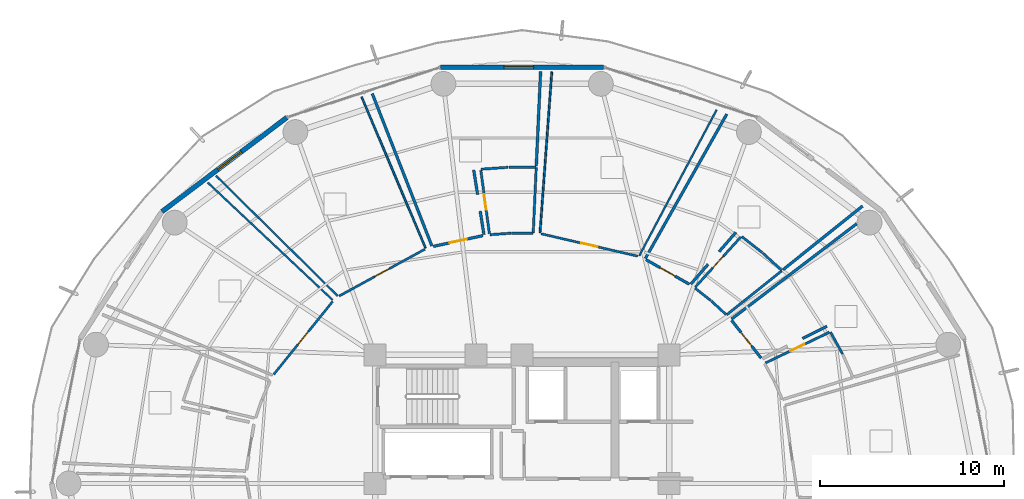
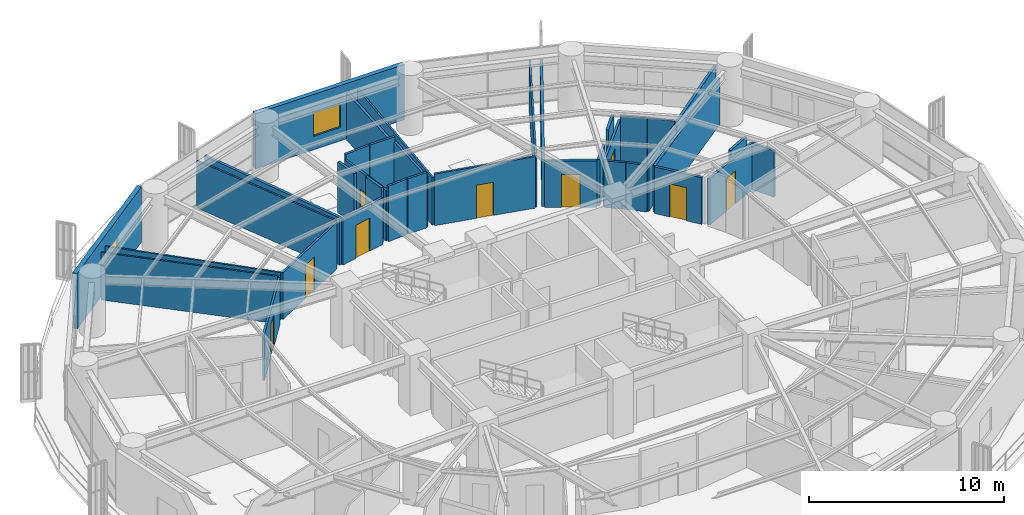
# One storey, part 32 of 37: 37 walls, 9 doors, 2 windows, 11 openings.
"""IFC4 building model written with IfcOpenShell, lengths in metres."""

from ifc_helpers import new_model, si_unit, direction, frame, frame_2d, origin, place, context, subcontext, project, spatial, rectangle, extrude, material, layer, layer_set, type_object, element, fill, save


model = new_model("IFC4")

# Units and contexts
model_context = context("Model", 3, precision=1e-05, world=origin(), true_north=direction((0.0, 1.0)))
body_context = subcontext(model_context, "Body", "Model", "MODEL_VIEW")
ifc_project = project(units=[si_unit("LENGTHUNIT", "METRE"), si_unit("AREAUNIT", "SQUARE_METRE"), si_unit("VOLUMEUNIT", "CUBIC_METRE"), si_unit("PLANEANGLEUNIT", "RADIAN"), si_unit("MASSUNIT", "GRAM", prefix="KILO")], contexts=[model_context])

# Site, building, storey
site_placement = place(None, origin())
site = spatial("IfcSite", under=ifc_project, at=site_placement, CompositionType="ELEMENT")
building_placement = place(site_placement, origin())
building = spatial("IfcBuilding", under=site, at=building_placement, Name="Kelanora Arch Commons", CompositionType="ELEMENT")
storey_placement = place(building_placement, frame((0.0, 0.0, 110.10009765625)))
storey = spatial("IfcBuildingStorey", under=building, at=storey_placement, Name="L28", CompositionType="ELEMENT", Elevation=110.10009765625)

# Wall, opening, door
ifc_material_1 = material(Name="Autoclaved aerated concrete blockwork with fire plaster", Category="masonry")
ifc_layer_1 = layer(ifc_material_1, 0.14990234375)
ifc_layer_set_1 = layer_set([ifc_layer_1], Name="Autoclaved aerated concrete blockwork with fire plaster")
wall_type_1 = type_object("IfcWallType", Name="W-COMP-150", PredefinedType="PARTITIONING", material=ifc_layer_set_1)
wall_1_placement = place(storey_placement, frame((87.007080078125, 64.818359375, 0.0), z_axis=(0.0, 0.0, 1.0), x_axis=(-0.615858536596, 0.78785675278, 0.0)))
wall_1 = element("IfcWall", 1, at=wall_1_placement, inside=storey, type_object=wall_type_1, Name="Co-Living Studio L28-05 Entry Partition", PredefinedType="PARTITIONING", context=body_context, shape_type="SweptSolid", body=[
    extrude(rectangle(XDim=2.606201171875, YDim=0.14990234375, at=frame_2d((1.30322265625, 0.0))), origin(), (0.0, 0.0, 1.0), 2.9248046875),
])
opening_1_placement = place(wall_1_placement, frame((0.827880859375, 0.0, 0.0)))
opening_1 = element("IfcOpeningElement", 2, at=opening_1_placement, cuts=wall_1, Name="Opening D-CLU1", PredefinedType="OPENING", context=body_context, shape_type="SweptSolid", body=[
    extrude(rectangle(XDim=0.949951171875, YDim=2.080078125, at=frame_2d((0.47509765625, 1.0400390625))), frame((0.0, 0.0849609375, 0.0), z_axis=(0.0, -1.0, 0.0), x_axis=(1.0, 0.0, 0.0)), (0.0, 0.0, 1.0), 0.169921875),
])
ifc_material_2 = material(Name="Solid-core acoustic timber cluster entry fire door", Category="wood")
door_type_1 = type_object("IfcDoorType", Name="D-CLU-95", OperationType="NOTDEFINED", PredefinedType="DOOR", material=ifc_material_2)
door_1_placement = place(opening_1_placement, origin())
door_1 = element("IfcDoor", 3, at=door_1_placement, inside=storey, type_object=door_type_1, Name="Co-Living Studio L28-05 Door", OperationType="SINGLE_SWING_RIGHT", OverallHeight=2.080078125, OverallWidth=0.949951171875, PredefinedType="DOOR", context=body_context, shape_type="SweptSolid", body=[
    extrude(rectangle(XDim=0.949951171875, YDim=2.080078125, at=frame_2d((0.47509765625, 1.0400390625))), frame((0.0, 0.02490234375, 0.0), z_axis=(0.0, -1.0, 0.0), x_axis=(1.0, 0.0, 0.0)), (0.0, 0.0, 1.0), 0.050048828125),
])
fill(opening_1, door_1)

wall_2_placement = place(storey_placement, frame((83.097900390625, 68.842529296875, 0.0), z_axis=(0.0, 0.0, 1.0), x_axis=(-0.870363179511, 0.492410332702, 0.0)))
wall_2 = element("IfcWall", 4, at=wall_2_placement, inside=storey, type_object=wall_type_1, Name="Co-Living Studio L28-06 Entry Partition", PredefinedType="PARTITIONING", context=body_context, shape_type="SweptSolid", body=[
    extrude(rectangle(XDim=2.711181640625, YDim=0.14990234375, at=frame_2d((1.35546875, 0.0))), origin(), (0.0, 0.0, 1.0), 2.9248046875),
])
opening_2_placement = place(wall_2_placement, frame((0.881103515625, 0.0, 0.0)))
opening_2 = element("IfcOpeningElement", 5, at=opening_2_placement, cuts=wall_2, Name="Opening D-CLU1", PredefinedType="OPENING", context=body_context, shape_type="SweptSolid", body=[
    extrude(rectangle(XDim=0.949951171875, YDim=2.080078125, at=frame_2d((0.47509765625, 1.0400390625))), frame((0.0, 0.0849609375, 0.0), z_axis=(0.0, -1.0, 0.0), x_axis=(1.0, 0.0, 0.0)), (0.0, 0.0, 1.0), 0.169921875),
])
door_2_placement = place(opening_2_placement, origin())
door_2 = element("IfcDoor", 6, at=door_2_placement, inside=storey, type_object=door_type_1, Name="Co-Living Studio L28-06 Door", OperationType="SINGLE_SWING_RIGHT", OverallHeight=2.080078125, OverallWidth=0.949951171875, PredefinedType="DOOR", context=body_context, shape_type="SweptSolid", body=[
    extrude(rectangle(XDim=0.949951171875, YDim=2.080078125, at=frame_2d((0.47509765625, 1.0400390625))), frame((0.0, 0.02490234375, 0.0), z_axis=(0.0, -1.0, 0.0), x_axis=(1.0, 0.0, 0.0)), (0.0, 0.0, 1.0), 0.050048828125),
])
fill(opening_2, door_2)

wall_3_placement = place(storey_placement, frame((71.868408203125, 71.4873046875, 0.0), z_axis=(0.0, 0.0, 1.0), x_axis=(-0.977162043607, -0.212495507093, 0.0)))
wall_3 = element("IfcWall", 7, at=wall_3_placement, inside=storey, type_object=wall_type_1, Name="Co-Living Studio L28-08 Entry Partition", PredefinedType="PARTITIONING", context=body_context, shape_type="SweptSolid", body=[
    extrude(rectangle(XDim=2.77001953125, YDim=0.14990234375, at=frame_2d((1.385009765625, 0.0))), origin(), (0.0, 0.0, 1.0), 2.9248046875),
])
opening_3_placement = place(wall_3_placement, frame((0.909912109375, 0.0, 0.0)))
opening_3 = element("IfcOpeningElement", 8, at=opening_3_placement, cuts=wall_3, Name="Opening D-CLU1", PredefinedType="OPENING", context=body_context, shape_type="SweptSolid", body=[
    extrude(rectangle(XDim=0.949951171875, YDim=2.080078125, at=frame_2d((0.47509765625, 1.0400390625))), frame((0.0, 0.0849609375, 0.0), z_axis=(0.0, -1.0, 0.0), x_axis=(1.0, 0.0, 0.0)), (0.0, 0.0, 1.0), 0.169921875),
])
door_3_placement = place(opening_3_placement, origin())
door_3 = element("IfcDoor", 9, at=door_3_placement, inside=storey, type_object=door_type_1, Name="Co-Living Studio L28-08 Door", OperationType="SINGLE_SWING_LEFT", OverallHeight=2.080078125, OverallWidth=0.949951171875, PredefinedType="DOOR", context=body_context, shape_type="SweptSolid", body=[
    extrude(rectangle(XDim=0.949951171875, YDim=2.080078125, at=frame_2d((0.47509765625, 1.0400390625))), frame((0.0, 0.02490234375, 0.0), z_axis=(0.0, -1.0, 0.0), x_axis=(1.0, 0.0, 0.0)), (0.0, 0.0, 1.0), 0.050048828125),
])
fill(opening_3, door_3)

# Walls
wall_4_placement = place(storey_placement, frame((85.396728515625, 66.943115234375, 0.0), z_axis=(0.0, 0.0, 1.0), x_axis=(0.795402924784, 0.606081007165, 0.0)))
element("IfcWall", 10, at=wall_4_placement, inside=storey, type_object=wall_type_1, Name="Co-Living Studio L28-05 Enclosure Partition 2", PredefinedType="PARTITIONING", context=body_context, shape_type="SweptSolid", body=[
    extrude(rectangle(XDim=8.56396484375, YDim=0.14990234375, at=frame_2d((4.281982421875, 0.0))), origin(), (0.0, 0.0, 1.0), 2.9248046875),
])
wall_5_placement = place(storey_placement, frame((90.584228515625, 66.554931640625, 0.0), z_axis=(0.0, 0.0, 1.0), x_axis=(-0.893044483168, -0.449968388983, 0.0)))
element("IfcWall", 11, at=wall_5_placement, inside=storey, type_object=wall_type_1, Name="Co-Living Studio L28-05 Enclosure Partition 7", PredefinedType="PARTITIONING", context=body_context, shape_type="SweptSolid", body=[
    extrude(rectangle(XDim=1.48779296875, YDim=0.14990234375, at=frame_2d((0.743896484375, 0.0))), origin(), (0.0, 0.0, 1.0), 3.1748046875),
])
wall_6_placement = place(storey_placement, frame((80.705810546875, 70.24169921875, 0.0), z_axis=(0.0, 0.0, 1.0), x_axis=(0.491283806378, 0.870999553152, 0.0)))
element("IfcWall", 12, at=wall_6_placement, inside=storey, type_object=wall_type_1, Name="Co-Living Studio L28-06 Enclosure Partition 2", PredefinedType="PARTITIONING", context=body_context, shape_type="SweptSolid", body=[
    extrude(rectangle(XDim=9.02001953125, YDim=0.14990234375, at=frame_2d((4.510009765625, 0.0))), origin(), (0.0, 0.0, 1.0), 2.9248046875),
])
wall_7_placement = place(storey_placement, frame((92.52685546875, 73.095947265625, 0.0), z_axis=(0.0, 0.0, 1.0), x_axis=(-0.780748421531, -0.624845502726, 0.0)))
element("IfcWall", 13, at=wall_7_placement, inside=storey, type_object=wall_type_1, Name="Co-Living Studio L28-06 Enclosure Partition 5", PredefinedType="PARTITIONING", context=body_context, shape_type="SweptSolid", body=[
    extrude(rectangle(XDim=5.54052734375, YDim=0.14990234375, at=frame_2d((2.770263671875, 0.0))), origin(), (0.0, 0.0, 1.0), 2.974853515625),
])
wall_8_placement = place(storey_placement, frame((85.631591796875, 71.661865234375, 0.0), z_axis=(0.0, 0.0, 1.0), x_axis=(-0.656722687954, -0.7541321576, 0.0)))
element("IfcWall", 14, at=wall_8_placement, inside=storey, type_object=wall_type_1, Name="Co-Living Studio L28-06 Enclosure Partition 7", PredefinedType="PARTITIONING", context=body_context, shape_type="SweptSolid", body=[
    extrude(rectangle(XDim=1.388427734375, YDim=0.14990234375, at=frame_2d((0.6943359375, 0.0))), origin(), (0.0, 0.0, 1.0), 3.1748046875),
])
wall_9_placement = place(storey_placement, frame((84.115234375, 69.9208984375, 0.0), z_axis=(0.0, 0.0, 1.0), x_axis=(-0.656931124452, -0.75395059369, 0.0)))
element("IfcWall", 15, at=wall_9_placement, inside=storey, type_object=wall_type_1, Name="Co-Living Studio L28-06 Enclosure Partition 7", PredefinedType="PARTITIONING", context=body_context, shape_type="SweptSolid", body=[
    extrude(rectangle(XDim=1.42919921875, YDim=0.14990234375, at=frame_2d((0.714599609375, 0.0))), origin(), (0.0, 0.0, 1.0), 2.9248046875),
])
wall_10_placement = place(storey_placement, frame((69.08837890625, 70.923095703125, 0.0), z_axis=(0.0, 0.0, 1.0), x_axis=(-0.364389011294, 0.931246824665, 0.0)))
element("IfcWall", 16, at=wall_10_placement, inside=storey, type_object=wall_type_1, Name="Co-Living Studio L28-08 Enclosure Partition 2", PredefinedType="PARTITIONING", context=body_context, shape_type="SweptSolid", body=[
    extrude(rectangle(XDim=8.905029296875, YDim=0.14990234375, at=frame_2d((4.45263671875, 0.0))), origin(), (0.0, 0.0, 1.0), 2.974853515625),
])
wall_11_placement = place(storey_placement, frame((75.005126953125, 80.422119140625, 0.0), z_axis=(0.0, 0.0, 1.0), x_axis=(-0.045575632324, -0.998960890995, 0.0)))
element("IfcWall", 17, at=wall_11_placement, inside=storey, type_object=wall_type_1, Name="Co-Living Studio L28-08 Enclosure Partition 5", PredefinedType="PARTITIONING", context=body_context, shape_type="SweptSolid", body=[
    extrude(rectangle(XDim=5.142578125, YDim=0.14990234375, at=frame_2d((2.5712890625, 0.0))), origin(), (0.0, 0.0, 1.0), 2.974853515625),
])
wall_12_placement = place(storey_placement, frame((71.365234375, 75.054443359375, 0.0), z_axis=(0.0, 0.0, 1.0), x_axis=(0.156065079238, -0.987746774757, 0.0)))
element("IfcWall", 18, at=wall_12_placement, inside=storey, type_object=wall_type_1, Name="Co-Living Studio L28-08 Enclosure Partition 7", PredefinedType="PARTITIONING", context=body_context, shape_type="SweptSolid", body=[
    extrude(rectangle(XDim=1.345458984375, YDim=0.14990234375, at=frame_2d((0.6728515625, 0.0))), origin(), (0.0, 0.0, 1.0), 3.1748046875),
])
wall_13_placement = place(storey_placement, frame((71.718994140625, 72.816650390625, 0.0), z_axis=(0.0, 0.0, 1.0), x_axis=(0.156156496637, -0.987732326371, 0.0)))
element("IfcWall", 19, at=wall_13_placement, inside=storey, type_object=wall_type_1, Name="Co-Living Studio L28-08 Enclosure Partition 7", PredefinedType="PARTITIONING", context=body_context, shape_type="SweptSolid", body=[
    extrude(rectangle(XDim=1.29296875, YDim=0.14990234375, at=frame_2d((0.646484375, 0.0))), origin(), (0.0, 0.0, 1.0), 3.47998046875),
])

# Wall, opening, window
ifc_material_3 = material(Name="Precast concrete C40/50 with terracotta rainscreen", Category="masonry")
ifc_layer_2 = layer(ifc_material_3, 0.260009765625)
ifc_layer_set_2 = layer_set([ifc_layer_2], Name="Precast concrete C40/50 with terracotta rainscreen")
wall_type_2 = type_object("IfcWallType", Name="W-EXT-TC", PredefinedType="SOLIDWALL", material=ifc_layer_set_2)
wall_14_placement = place(storey_placement, frame((78.430419921875, 80.650634765625, 0.0), z_axis=(0.0, 0.0, 1.0), x_axis=(-1.0, 0.0, 0.0)))
wall_14 = element("IfcWall", 20, at=wall_14_placement, inside=storey, type_object=wall_type_2, Name="Terracotta Exterior Wall L28-B04", PredefinedType="SOLIDWALL", context=body_context, shape_type="SweptSolid", body=[
    extrude(rectangle(XDim=8.86083984375, YDim=0.260009765625, at=frame_2d((4.430419921875, 0.0))), origin(), (0.0, 0.0, 1.0), 3.474853515625),
])
opening_4_placement = place(wall_14_placement, frame((3.81005859375, 0.0, 0.85009765625)))
opening_4 = element("IfcOpeningElement", 21, at=opening_4_placement, cuts=wall_14, Name="Opening WN-01", PredefinedType="OPENING", context=body_context, shape_type="SweptSolid", body=[
    extrude(rectangle(XDim=1.60009765625, YDim=1.449951171875, at=frame_2d((0.800048828125, 0.72509765625))), frame((0.0, 0.14013671875, 0.0), z_axis=(0.0, -1.0, 0.0), x_axis=(1.0, 0.0, 0.0)), (0.0, 0.0, 1.0), 0.280029296875),
])
ifc_material_4 = material(Name="Terracotta-anodised aluminium frame with operable low-E glazing", Category="masonry")
window_type = type_object("IfcWindowType", Name="WIN-CL-18", PartitioningType="DOUBLE_PANEL_VERTICAL", PredefinedType="WINDOW", material=ifc_material_4)
window_1_placement = place(opening_4_placement, origin())
window_1 = element("IfcWindow", 22, at=window_1_placement, inside=storey, type_object=window_type, Name="Co-Living Operable Window L28-B04", OverallHeight=1.449951171875, OverallWidth=1.60009765625, PartitioningType="SINGLE_PANEL", PredefinedType="WINDOW", context=body_context, shape_type="SweptSolid", body=[
    extrude(rectangle(XDim=1.60009765625, YDim=1.449951171875, at=frame_2d((0.800048828125, 0.72509765625))), frame((0.0, 0.030029296875, 0.0), z_axis=(0.0, -1.0, 0.0), x_axis=(1.0, 0.0, 0.0)), (0.0, 0.0, 1.0), 0.06005859375),
])
fill(opening_4, window_1)

wall_15_placement = place(storey_placement, frame((61.18798828125, 77.90966796875, 0.0), z_axis=(0.0, 0.0, 1.0), x_axis=(-0.798501507879, -0.601992808857, 0.0)))
wall_15 = element("IfcWall", 23, at=wall_15_placement, inside=storey, type_object=wall_type_2, Name="Terracotta Exterior Wall L28-B06", PredefinedType="SOLIDWALL", context=body_context, shape_type="SweptSolid", body=[
    extrude(rectangle(XDim=8.499267578125, YDim=0.260009765625, at=frame_2d((4.24951171875, 0.0))), origin(), (0.0, 0.0, 1.0), 3.474853515625),
])
opening_5_placement = place(wall_15_placement, frame((3.090087890625, 0.0, 0.85009765625)))
opening_5 = element("IfcOpeningElement", 24, at=opening_5_placement, cuts=wall_15, Name="Opening WN-01", PredefinedType="OPENING", context=body_context, shape_type="SweptSolid", body=[
    extrude(rectangle(XDim=1.60009765625, YDim=1.449951171875, at=frame_2d((0.800048828125, 0.72509765625))), frame((0.0, 0.14013671875, 0.0), z_axis=(0.0, -1.0, 0.0), x_axis=(1.0, 0.0, 0.0)), (0.0, 0.0, 1.0), 0.280029296875),
])
window_2_placement = place(opening_5_placement, origin())
window_2 = element("IfcWindow", 25, at=window_2_placement, inside=storey, type_object=window_type, Name="Co-Living Operable Window L28-B06", OverallHeight=1.449951171875, OverallWidth=1.60009765625, PartitioningType="SINGLE_PANEL", PredefinedType="WINDOW", context=body_context, shape_type="SweptSolid", body=[
    extrude(rectangle(XDim=1.60009765625, YDim=1.449951171875, at=frame_2d((0.800048828125, 0.72509765625))), frame((0.0, 0.030029296875, 0.0), z_axis=(0.0, -1.0, 0.0), x_axis=(1.0, 0.0, 0.0)), (0.0, 0.0, 1.0), 0.06005859375),
])
fill(opening_5, window_2)

# Walls
ifc_material_5 = material(Name="Lightweight fire-rated acoustic stud partition")
ifc_layer_3 = layer(ifc_material_5, 0.10009765625)
ifc_layer_set_3 = layer_set([ifc_layer_3], Name="Lightweight fire-rated acoustic stud partition")
wall_type_3 = type_object("IfcWallType", Name="W-PART-100", PredefinedType="PARTITIONING", material=ifc_layer_set_3)
wall_16_placement = place(storey_placement, frame((74.972900390625, 71.641845703125, 0.0), z_axis=(0.0, 0.0, 1.0), x_axis=(0.073174761374, 0.997319133627, 0.0)))
element("IfcWall", 26, at=wall_16_placement, inside=storey, type_object=wall_type_3, Name="Social Sky Lounge L28-07 Enclosure Partition 2", PredefinedType="PARTITIONING", context=body_context, shape_type="SweptSolid", body=[
    extrude(rectangle(XDim=8.774658203125, YDim=0.10009765625, at=frame_2d((4.38720703125, 0.0))), origin(), (0.0, 0.0, 1.0), 2.974853515625),
])
wall_17_placement = place(storey_placement, frame((84.586181640625, 78.335693359375, 0.0), z_axis=(0.0, 0.0, 1.0), x_axis=(-0.468267999336, -0.883586487446, 0.0)))
element("IfcWall", 27, at=wall_17_placement, inside=storey, type_object=wall_type_3, Name="Social Sky Lounge L28-07 Enclosure Partition 4", PredefinedType="PARTITIONING", context=body_context, shape_type="SweptSolid", body=[
    extrude(rectangle(XDim=8.99560546875, YDim=0.10009765625, at=frame_2d((4.497802734375, 0.0))), origin(), (0.0, 0.0, 1.0), 2.9248046875),
])
wall_18_placement = place(storey_placement, frame((63.967529296875, 68.2001953125, 0.0), z_axis=(0.0, 0.0, 1.0), x_axis=(-0.711571842372, 0.702613345406, 0.0)))
element("IfcWall", 28, at=wall_18_placement, inside=storey, type_object=wall_type_3, Name="Quiet Seminar Study Room L28-09 Enclosure Partition 2", PredefinedType="PARTITIONING", context=body_context, shape_type="SweptSolid", body=[
    extrude(rectangle(XDim=9.3203125, YDim=0.10009765625, at=frame_2d((4.66015625, 0.0))), origin(), (0.0, 0.0, 1.0), 2.974853515625),
])
wall_19_placement = place(storey_placement, frame((65.267578125, 79.03125, 0.0), z_axis=(0.0, 0.0, 1.0), x_axis=(0.389258885466, -0.921128395006, 0.0)))
element("IfcWall", 29, at=wall_19_placement, inside=storey, type_object=wall_type_3, Name="Quiet Seminar Study Room L28-09 Enclosure Partition 4", PredefinedType="PARTITIONING", context=body_context, shape_type="SweptSolid", body=[
    extrude(rectangle(XDim=8.92431640625, YDim=0.10009765625, at=frame_2d((4.462158203125, 0.0))), origin(), (0.0, 0.0, 1.0), 2.974853515625),
])
wall_20_placement = place(storey_placement, frame((56.883056640625, 74.378662109375, 0.0), z_axis=(0.0, 0.0, 1.0), x_axis=(0.728610729356, -0.684928029115, 0.0)))
element("IfcWall", 30, at=wall_20_placement, inside=storey, type_object=wall_type_3, Name="Communal Dining and Social Hall L28-10 Enclosure Partition 4", PredefinedType="PARTITIONING", context=body_context, shape_type="SweptSolid", body=[
    extrude(rectangle(XDim=9.350341796875, YDim=0.10009765625, at=frame_2d((4.67529296875, 0.0))), origin(), (0.0, 0.0, 1.0), 2.974853515625),
])

# Wall, opening, door
ifc_material_6 = material(Name="Acoustic twin-stud fire-rated gypsum partition")
ifc_layer_4 = layer(ifc_material_6, 0.1201171875)
ifc_layer_set_4 = layer_set([ifc_layer_4], Name="Acoustic twin-stud fire-rated gypsum partition")
wall_type_4 = type_object("IfcWallType", Name="W-PART-120", PredefinedType="PARTITIONING", material=ifc_layer_set_4)
wall_21_placement = place(storey_placement, frame((80.296630859375, 70.365478515625, 0.0), z_axis=(0.0, 0.0, 1.0), x_axis=(-0.97410128396, 0.226112115082, 0.0)))
wall_21 = element("IfcWall", 31, at=wall_21_placement, inside=storey, type_object=wall_type_4, Name="Social Sky Lounge L28-07 Entry Partition", PredefinedType="PARTITIONING", context=body_context, shape_type="SweptSolid", body=[
    extrude(rectangle(XDim=5.408447265625, YDim=0.1201171875, at=frame_2d((2.7041015625, 0.0))), origin(), (0.0, 0.0, 1.0), 3.23486328125),
])
opening_6_placement = place(wall_21_placement, frame((2.25390625, 0.0, 0.0)))
opening_6 = element("IfcOpeningElement", 32, at=opening_6_placement, cuts=wall_21, Name="Opening D-RM1", PredefinedType="OPENING", context=body_context, shape_type="SweptSolid", body=[
    extrude(rectangle(XDim=0.89990234375, YDim=2.080078125, at=frame_2d((0.449951171875, 1.0400390625))), frame((0.0, 0.070068359375, 0.0), z_axis=(0.0, -1.0, 0.0), x_axis=(1.0, 0.0, 0.0)), (0.0, 0.0, 1.0), 0.14013671875),
])
ifc_material_7 = material(Name="Acoustic fire-rated timber study and lounge door", Category="wood")
door_type_2 = type_object("IfcDoorType", Name="D-ROOM-90", OperationType="NOTDEFINED", PredefinedType="DOOR", material=ifc_material_7)
door_4_placement = place(opening_6_placement, origin())
door_4 = element("IfcDoor", 33, at=door_4_placement, inside=storey, type_object=door_type_2, Name="Social Sky Lounge L28-07 Door", OperationType="SINGLE_SWING_LEFT", OverallHeight=2.080078125, OverallWidth=0.89990234375, PredefinedType="DOOR", context=body_context, shape_type="SweptSolid", body=[
    extrude(rectangle(XDim=0.89990234375, YDim=2.080078125, at=frame_2d((0.449951171875, 1.0400390625))), frame((0.0, 0.02490234375, 0.0), z_axis=(0.0, -1.0, 0.0), x_axis=(1.0, 0.0, 0.0)), (0.0, 0.0, 1.0), 0.050048828125),
])
fill(opening_6, door_4)

wall_22_placement = place(storey_placement, frame((68.704345703125, 70.7451171875, 0.0), z_axis=(0.0, 0.0, 1.0), x_axis=(-0.877504886901, -0.479567694351, 0.0)))
wall_22 = element("IfcWall", 34, at=wall_22_placement, inside=storey, type_object=wall_type_4, Name="Quiet Seminar Study Room L28-09 Entry Partition", PredefinedType="PARTITIONING", context=body_context, shape_type="SweptSolid", body=[
    extrude(rectangle(XDim=5.3056640625, YDim=0.1201171875, at=frame_2d((2.65283203125, 0.0))), origin(), (0.0, 0.0, 1.0), 2.9248046875),
])
opening_7_placement = place(wall_22_placement, frame((2.202880859375, 0.0, 0.0)))
opening_7 = element("IfcOpeningElement", 35, at=opening_7_placement, cuts=wall_22, Name="Opening D-RM1", PredefinedType="OPENING", context=body_context, shape_type="SweptSolid", body=[
    extrude(rectangle(XDim=0.89990234375, YDim=2.080078125, at=frame_2d((0.449951171875, 1.0400390625))), frame((0.0, 0.070068359375, 0.0), z_axis=(0.0, -1.0, 0.0), x_axis=(1.0, 0.0, 0.0)), (0.0, 0.0, 1.0), 0.14013671875),
])
door_5_placement = place(opening_7_placement, origin())
door_5 = element("IfcDoor", 36, at=door_5_placement, inside=storey, type_object=door_type_2, Name="Quiet Seminar Study Room L28-09 Door", OperationType="SINGLE_SWING_RIGHT", OverallHeight=2.080078125, OverallWidth=0.89990234375, PredefinedType="DOOR", context=body_context, shape_type="SweptSolid", body=[
    extrude(rectangle(XDim=0.89990234375, YDim=2.080078125, at=frame_2d((0.449951171875, 1.0400390625))), frame((0.0, 0.02490234375, 0.0), z_axis=(0.0, -1.0, 0.0), x_axis=(1.0, 0.0, 0.0)), (0.0, 0.0, 1.0), 0.050048828125),
])
fill(opening_7, door_5)

wall_23_placement = place(storey_placement, frame((63.687255859375, 67.900390625, 0.0), z_axis=(0.0, 0.0, 1.0), x_axis=(-0.628221381111, -0.778034636963, 0.0)))
wall_23 = element("IfcWall", 37, at=wall_23_placement, inside=storey, type_object=wall_type_4, Name="Communal Dining and Social Hall L28-10 Entry Partition", PredefinedType="PARTITIONING", context=body_context, shape_type="SweptSolid", body=[
    extrude(rectangle(XDim=5.107177734375, YDim=0.1201171875, at=frame_2d((2.5537109375, 0.0))), origin(), (0.0, 0.0, 1.0), 2.9248046875),
])
opening_8_placement = place(wall_23_placement, frame((2.10400390625, 0.0, 0.0)))
opening_8 = element("IfcOpeningElement", 38, at=opening_8_placement, cuts=wall_23, Name="Opening D-RM1", PredefinedType="OPENING", context=body_context, shape_type="SweptSolid", body=[
    extrude(rectangle(XDim=0.89990234375, YDim=2.080078125, at=frame_2d((0.449951171875, 1.0400390625))), frame((0.0, 0.070068359375, 0.0), z_axis=(0.0, -1.0, 0.0), x_axis=(1.0, 0.0, 0.0)), (0.0, 0.0, 1.0), 0.14013671875),
])
door_6_placement = place(opening_8_placement, origin())
door_6 = element("IfcDoor", 39, at=door_6_placement, inside=storey, type_object=door_type_2, Name="Communal Dining and Social Hall L28-10 Door", OperationType="SINGLE_SWING_LEFT", OverallHeight=2.080078125, OverallWidth=0.89990234375, PredefinedType="DOOR", context=body_context, shape_type="SweptSolid", body=[
    extrude(rectangle(XDim=0.89990234375, YDim=2.080078125, at=frame_2d((0.449951171875, 1.0400390625))), frame((0.0, 0.02490234375, 0.0), z_axis=(0.0, -1.0, 0.0), x_axis=(1.0, 0.0, 0.0)), (0.0, 0.0, 1.0), 0.050048828125),
])
fill(opening_8, door_6)

ifc_material_8 = material(Name="Moisture-resistant fire-rated cement-board plumbing wall")
ifc_layer_5 = layer(ifc_material_8, 0.1298828125)
ifc_layer_set_5 = layer_set([ifc_layer_5], Name="Moisture-resistant fire-rated cement-board plumbing wall")
wall_type_5 = type_object("IfcWallType", Name="W-WET-120", PredefinedType="PLUMBINGWALL", material=ifc_layer_set_5)
wall_24_placement = place(storey_placement, frame((87.24609375, 64.55810546875, 0.0), z_axis=(0.0, 0.0, 1.0), x_axis=(0.901424148611, 0.432937067368, 0.0)))
wall_24 = element("IfcWall", 40, at=wall_24_placement, inside=storey, type_object=wall_type_5, Name="En-Suite Shower WC L28-05 Entry Partition", PredefinedType="PLUMBINGWALL", context=body_context, shape_type="SweptSolid", body=[
    extrude(rectangle(XDim=3.852783203125, YDim=0.1298828125, at=frame_2d((1.92626953125, 0.0))), origin(), (0.0, 0.0, 1.0), 2.9248046875),
])
opening_9_placement = place(wall_24_placement, frame((1.49609375, 0.0, 0.0)))
opening_9 = element("IfcOpeningElement", 41, at=opening_9_placement, cuts=wall_24, Name="Opening D-BT1", PredefinedType="OPENING", context=body_context, shape_type="SweptSolid", body=[
    extrude(rectangle(XDim=0.860107421875, YDim=2.050048828125, at=frame_2d((0.43017578125, 1.02490234375))), frame((0.0, 0.074951171875, 0.0), z_axis=(0.0, -1.0, 0.0), x_axis=(1.0, 0.0, 0.0)), (0.0, 0.0, 1.0), 0.14990234375),
])
ifc_material_9 = material(Name="Moisture-sealed fire-rated accessible bathroom door")
door_type_3 = type_object("IfcDoorType", Name="D-BATH-85", OperationType="NOTDEFINED", PredefinedType="DOOR", material=ifc_material_9)
door_7_placement = place(opening_9_placement, origin())
door_7 = element("IfcDoor", 42, at=door_7_placement, inside=storey, type_object=door_type_3, Name="En-Suite Shower WC L28-05 Door", OperationType="SINGLE_SWING_LEFT", OverallHeight=2.050048828125, OverallWidth=0.860107421875, PredefinedType="DOOR", context=body_context, shape_type="SweptSolid", body=[
    extrude(rectangle(XDim=0.860107421875, YDim=2.050048828125, at=frame_2d((0.43017578125, 1.02490234375))), frame((0.0, 0.02490234375, 0.0), z_axis=(0.0, -1.0, 0.0), x_axis=(1.0, 0.0, 0.0)), (0.0, 0.0, 1.0), 0.050048828125),
])
fill(opening_9, door_7)

wall_25_placement = place(storey_placement, frame((83.427490234375, 68.689453125, 0.0), z_axis=(0.0, 0.0, 1.0), x_axis=(0.672623095828, 0.739985250501, 0.0)))
wall_25 = element("IfcWall", 43, at=wall_25_placement, inside=storey, type_object=wall_type_5, Name="En-Suite Shower WC L28-06 Entry Partition", PredefinedType="PLUMBINGWALL", context=body_context, shape_type="SweptSolid", body=[
    extrude(rectangle(XDim=3.667724609375, YDim=0.1298828125, at=frame_2d((1.833984375, 0.0))), origin(), (0.0, 0.0, 1.0), 2.9248046875),
])
opening_10_placement = place(wall_25_placement, frame((1.404052734375, 0.0, 0.0)))
opening_10 = element("IfcOpeningElement", 44, at=opening_10_placement, cuts=wall_25, Name="Opening D-BT1", PredefinedType="OPENING", context=body_context, shape_type="SweptSolid", body=[
    extrude(rectangle(XDim=0.860107421875, YDim=2.050048828125, at=frame_2d((0.43017578125, 1.02490234375))), frame((0.0, 0.074951171875, 0.0), z_axis=(0.0, -1.0, 0.0), x_axis=(1.0, 0.0, 0.0)), (0.0, 0.0, 1.0), 0.14990234375),
])
door_8_placement = place(opening_10_placement, origin())
door_8 = element("IfcDoor", 45, at=door_8_placement, inside=storey, type_object=door_type_3, Name="En-Suite Shower WC L28-06 Door", OperationType="SINGLE_SWING_LEFT", OverallHeight=2.050048828125, OverallWidth=0.860107421875, PredefinedType="DOOR", context=body_context, shape_type="SweptSolid", body=[
    extrude(rectangle(XDim=0.860107421875, YDim=2.050048828125, at=frame_2d((0.43017578125, 1.02490234375))), frame((0.0, 0.02490234375, 0.0), z_axis=(0.0, -1.0, 0.0), x_axis=(1.0, 0.0, 0.0)), (0.0, 0.0, 1.0), 0.050048828125),
])
fill(opening_10, door_8)

wall_26_placement = place(storey_placement, frame((72.218017578125, 71.594482421875, 0.0), z_axis=(0.0, 0.0, 1.0), x_axis=(-0.134063285547, 0.990972772314, 0.0)))
wall_26 = element("IfcWall", 46, at=wall_26_placement, inside=storey, type_object=wall_type_5, Name="En-Suite Shower WC L28-08 Entry Partition", PredefinedType="PLUMBINGWALL", context=body_context, shape_type="SweptSolid", body=[
    extrude(rectangle(XDim=3.4765625, YDim=0.1298828125, at=frame_2d((1.73828125, 0.0))), origin(), (0.0, 0.0, 1.0), 3.1748046875),
])
opening_11_placement = place(wall_26_placement, frame((1.30810546875, 0.0, 0.0)))
opening_11 = element("IfcOpeningElement", 47, at=opening_11_placement, cuts=wall_26, Name="Opening D-BT1", PredefinedType="OPENING", context=body_context, shape_type="SweptSolid", body=[
    extrude(rectangle(XDim=0.860107421875, YDim=2.050048828125, at=frame_2d((0.43017578125, 1.02490234375))), frame((0.0, 0.074951171875, 0.0), z_axis=(0.0, -1.0, 0.0), x_axis=(1.0, 0.0, 0.0)), (0.0, 0.0, 1.0), 0.14990234375),
])
door_9_placement = place(opening_11_placement, origin())
door_9 = element("IfcDoor", 48, at=door_9_placement, inside=storey, type_object=door_type_3, Name="En-Suite Shower WC L28-08 Door", OperationType="SINGLE_SWING_RIGHT", OverallHeight=2.050048828125, OverallWidth=0.860107421875, PredefinedType="DOOR", context=body_context, shape_type="SweptSolid", body=[
    extrude(rectangle(XDim=0.860107421875, YDim=2.050048828125, at=frame_2d((0.43017578125, 1.02490234375))), frame((0.0, 0.02490234375, 0.0), z_axis=(0.0, -1.0, 0.0), x_axis=(1.0, 0.0, 0.0)), (0.0, 0.0, 1.0), 0.050048828125),
])
fill(opening_11, door_9)

# Walls
wall_27_placement = place(storey_placement, frame((90.78271484375, 66.234619140625, 0.0), z_axis=(0.0, 0.0, 1.0), x_axis=(0.481766529195, -0.876299612774, 0.0)))
element("IfcWall", 49, at=wall_27_placement, inside=storey, type_object=wall_type_5, Name="En-Suite Shower WC L28-05 Enclosure Partition 4", PredefinedType="PLUMBINGWALL", context=body_context, shape_type="SweptSolid", body=[
    extrude(rectangle(XDim=1.3544921875, YDim=0.1298828125, at=frame_2d((0.67724609375, 0.0))), origin(), (0.0, 0.0, 1.0), 2.9248046875),
])
wall_28_placement = place(storey_placement, frame((85.107421875, 67.181640625, 0.0), z_axis=(0.0, 0.0, 1.0), x_axis=(-0.735264550173, 0.677780230796, 0.0)))
element("IfcWall", 50, at=wall_28_placement, inside=storey, type_object=wall_type_5, Name="En-Suite Shower WC L28-06 Enclosure Partition 1", PredefinedType="PLUMBINGWALL", context=body_context, shape_type="SweptSolid", body=[
    extrude(rectangle(XDim=1.095703125, YDim=0.1298828125, at=frame_2d((0.5478515625, 0.0))), origin(), (0.0, 0.0, 1.0), 2.9248046875),
])
wall_29_placement = place(storey_placement, frame((84.271240234375, 67.950439453125, 0.0), z_axis=(0.0, 0.0, 1.0), x_axis=(-0.786487058699, 0.617606757168, 0.0)))
element("IfcWall", 51, at=wall_29_placement, inside=storey, type_object=wall_type_5, Name="En-Suite Shower WC L28-06 Enclosure Partition 2", PredefinedType="PLUMBINGWALL", context=body_context, shape_type="SweptSolid", body=[
    extrude(rectangle(XDim=1.1044921875, YDim=0.1298828125, at=frame_2d((0.55224609375, 0.0))), origin(), (0.0, 0.0, 1.0), 2.9248046875),
])
wall_30_placement = place(storey_placement, frame((85.95068359375, 71.435791015625, 0.0), z_axis=(0.0, 0.0, 1.0), x_axis=(0.787953589467, -0.615734635087, 0.0)))
element("IfcWall", 52, at=wall_30_placement, inside=storey, type_object=wall_type_5, Name="En-Suite Shower WC L28-06 Enclosure Partition 4", PredefinedType="PLUMBINGWALL", context=body_context, shape_type="SweptSolid", body=[
    extrude(rectangle(XDim=1.411865234375, YDim=0.1298828125, at=frame_2d((0.7060546875, 0.0))), origin(), (0.0, 0.0, 1.0), 3.1748046875),
])
wall_31_placement = place(storey_placement, frame((87.09375, 70.54052734375, 0.0), z_axis=(0.0, 0.0, 1.0), x_axis=(0.737639046397, -0.675195258596, 0.0)))
element("IfcWall", 53, at=wall_31_placement, inside=storey, type_object=wall_type_5, Name="En-Suite Shower WC L28-06 Enclosure Partition 5", PredefinedType="PLUMBINGWALL", context=body_context, shape_type="SweptSolid", body=[
    extrude(rectangle(XDim=1.399658203125, YDim=0.1298828125, at=frame_2d((0.69970703125, 0.0))), origin(), (0.0, 0.0, 1.0), 3.1748046875),
])
wall_32_placement = place(storey_placement, frame((88.12548828125, 69.569580078125, 0.0), z_axis=(0.0, 0.0, 1.0), x_axis=(-0.781005766081, -0.624523813276, 0.0)))
element("IfcWall", 54, at=wall_32_placement, inside=storey, type_object=wall_type_5, Name="En-Suite Shower WC L28-06 Enclosure Partition 6", PredefinedType="PLUMBINGWALL", context=body_context, shape_type="SweptSolid", body=[
    extrude(rectangle(XDim=3.82568359375, YDim=0.1298828125, at=frame_2d((1.912841796875, 0.0))), origin(), (0.0, 0.0, 1.0), 2.9248046875),
])
wall_33_placement = place(storey_placement, frame((74.5830078125, 71.618896484375, 0.0), z_axis=(0.0, 0.0, 1.0), x_axis=(-0.999999436534, 0.001061570527, 0.0)))
element("IfcWall", 55, at=wall_33_placement, inside=storey, type_object=wall_type_5, Name="En-Suite Shower WC L28-08 Enclosure Partition 1", PredefinedType="PLUMBINGWALL", context=body_context, shape_type="SweptSolid", body=[
    extrude(rectangle(XDim=1.14990234375, YDim=0.1298828125, at=frame_2d((0.574951171875, 0.0))), origin(), (0.0, 0.0, 1.0), 3.47998046875),
])
wall_34_placement = place(storey_placement, frame((73.39306640625, 71.61865234375, 0.0), z_axis=(0.0, 0.0, 1.0), x_axis=(-0.997438186292, -0.071533660094, 0.0)))
element("IfcWall", 56, at=wall_34_placement, inside=storey, type_object=wall_type_5, Name="En-Suite Shower WC L28-08 Enclosure Partition 2", PredefinedType="PLUMBINGWALL", context=body_context, shape_type="SweptSolid", body=[
    extrude(rectangle(XDim=1.150146484375, YDim=0.1298828125, at=frame_2d((0.5751953125, 0.0))), origin(), (0.0, 0.0, 1.0), 3.47998046875),
])
wall_35_placement = place(storey_placement, frame((71.763916015625, 75.100341796875, 0.0), z_axis=(0.0, 0.0, 1.0), x_axis=(0.997492243664, 0.070775870396, 0.0)))
element("IfcWall", 57, at=wall_35_placement, inside=storey, type_object=wall_type_5, Name="En-Suite Shower WC L28-08 Enclosure Partition 4", PredefinedType="PLUMBINGWALL", context=body_context, shape_type="SweptSolid", body=[
    extrude(rectangle(XDim=1.472900390625, YDim=0.1298828125, at=frame_2d((0.736328125, 0.0))), origin(), (0.0, 0.0, 1.0), 3.47998046875),
])
wall_36_placement = place(storey_placement, frame((73.27294921875, 75.2060546875, 0.0), z_axis=(0.0, 0.0, 1.0), x_axis=(0.999999780566, -0.000662470872, 0.0)))
element("IfcWall", 58, at=wall_36_placement, inside=storey, type_object=wall_type_5, Name="En-Suite Shower WC L28-08 Enclosure Partition 5", PredefinedType="PLUMBINGWALL", context=body_context, shape_type="SweptSolid", body=[
    extrude(rectangle(XDim=1.47412109375, YDim=0.1298828125, at=frame_2d((0.737060546875, 0.0))), origin(), (0.0, 0.0, 1.0), 3.47998046875),
])
wall_37_placement = place(storey_placement, frame((74.76611328125, 75.18505859375, 0.0), z_axis=(0.0, 0.0, 1.0), x_axis=(-0.045666593687, -0.998956736912, 0.0)))
element("IfcWall", 59, at=wall_37_placement, inside=storey, type_object=wall_type_5, Name="En-Suite Shower WC L28-08 Enclosure Partition 6", PredefinedType="PLUMBINGWALL", context=body_context, shape_type="SweptSolid", body=[
    extrude(rectangle(XDim=3.5498046875, YDim=0.1298828125, at=frame_2d((1.77490234375, 0.0))), origin(), (0.0, 0.0, 1.0), 3.1748046875),
])

save(model, "model.ifc")
